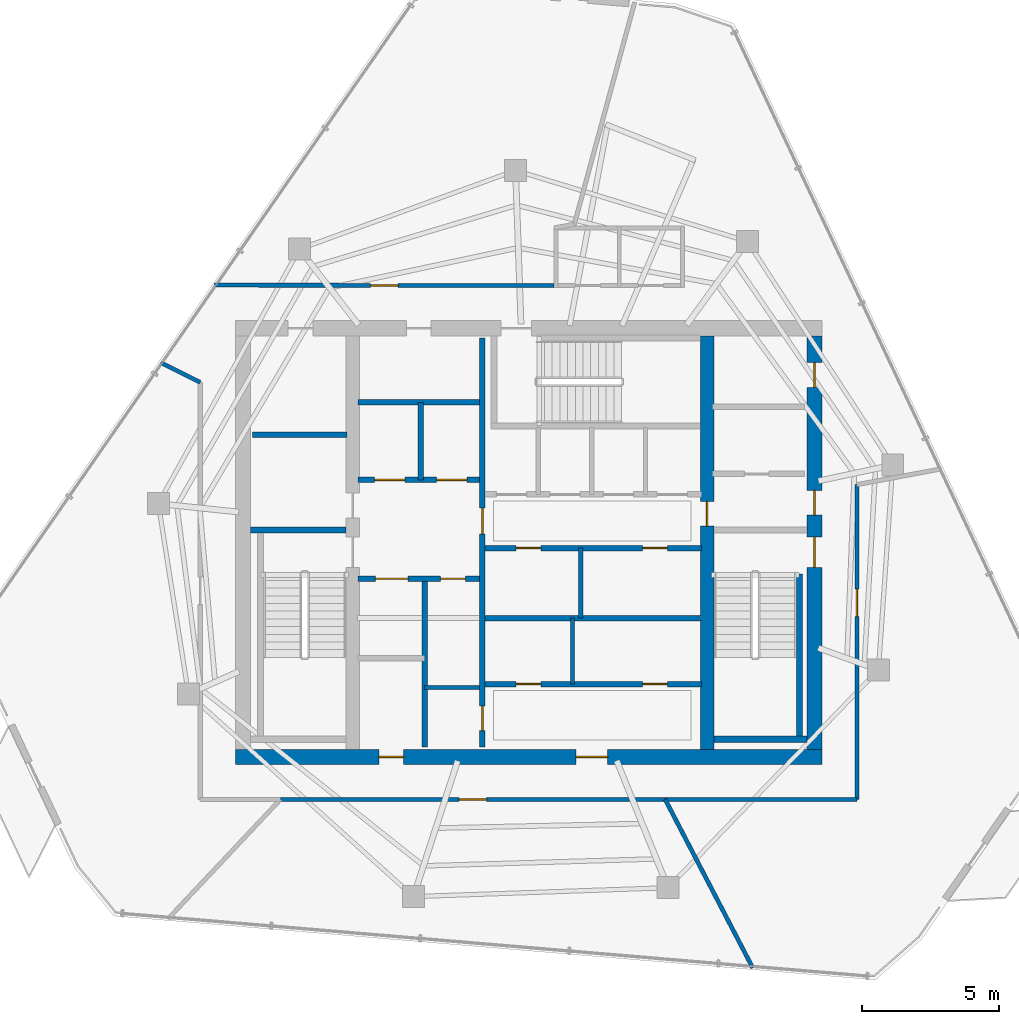
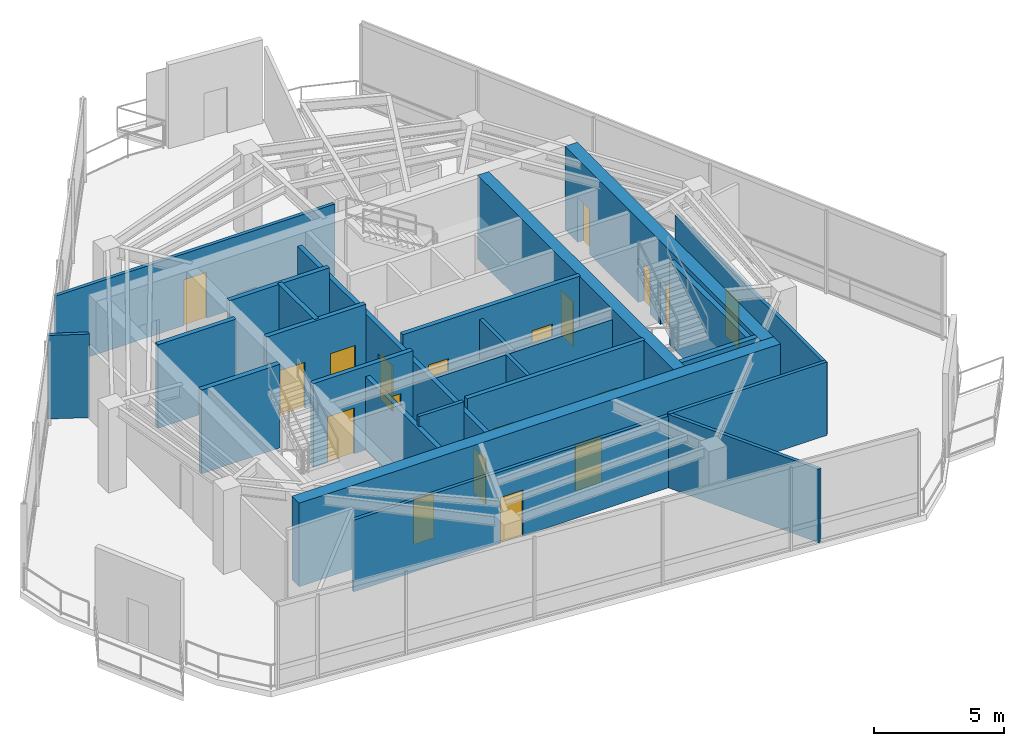
# One storey, part 15 of 19: 25 walls, 19 doors, 19 openings.
"""IFC4 building model written with IfcOpenShell, lengths in metres."""

from ifc_helpers import new_model, si_unit, direction, frame, frame_2d, origin, place, context, subcontext, project, spatial, rectangle, extrude, material, layer, layer_set, type_object, element, fill, save


model = new_model("IFC4")

# Units and contexts
model_context = context("Model", 3, precision=1e-05, world=origin(), true_north=direction((0.0, 1.0)))
body_context = subcontext(model_context, "Body", "Model", "MODEL_VIEW")
ifc_project = project(units=[si_unit("LENGTHUNIT", "METRE"), si_unit("AREAUNIT", "SQUARE_METRE"), si_unit("VOLUMEUNIT", "CUBIC_METRE"), si_unit("PLANEANGLEUNIT", "RADIAN"), si_unit("MASSUNIT", "GRAM", prefix="KILO")], contexts=[model_context])

# Site, building, storey
site_placement = place(None, origin())
site = spatial("IfcSite", under=ifc_project, at=site_placement, CompositionType="ELEMENT")
building_placement = place(site_placement, origin())
building = spatial("IfcBuilding", under=site, at=building_placement, Name="Qarnah Convention Tower", CompositionType="ELEMENT")
storey_placement = place(building_placement, frame((0.0, 0.0, 275.10009765625)))
storey = spatial("IfcBuildingStorey", under=building, at=storey_placement, Name="L74", CompositionType="ELEMENT", Elevation=275.10009765625)

# Wall, openings, doors
ifc_material_1 = material(Name="Concrete C60/75", Category="concrete")
ifc_layer_1 = layer(ifc_material_1, 0.550048828125)
ifc_layer_set_1 = layer_set([ifc_layer_1], Name="Concrete C60/75")
wall_type_1 = type_object("IfcWallType", Name="WL-CORE-550", PredefinedType="SHEAR", material=ifc_layer_set_1)
wall_1_placement = place(storey_placement, frame((26.52490234375, 18.60009765625, 0.0), z_axis=(0.0, 0.0, 1.0), x_axis=(1.0, 0.0, 0.0)))
wall_1 = element("IfcWall", 1, at=wall_1_placement, inside=storey, type_object=wall_type_1, Name="L74 core south shear wall", PredefinedType="SHEAR", context=body_context, shape_type="SweptSolid", body=[
    extrude(rectangle(XDim=21.35009765625, YDim=0.550048828125, at=frame_2d((10.675048828125, 0.0))), origin(), (0.0, 0.0, 1.0), 3.919921875),
])
opening_1_placement = place(wall_1_placement, frame((12.39990234375, 0.0, 0.0)))
opening_1 = element("IfcOpeningElement", 2, at=opening_1_placement, cuts=wall_1, Name="Opening D-7407", PredefinedType="OPENING", context=body_context, shape_type="SweptSolid", body=[
    extrude(rectangle(XDim=1.14990234375, YDim=2.14990234375, at=frame_2d((0.574951171875, 1.074951171875))), frame((0.0, 0.284912109375, 0.0), z_axis=(0.0, -1.0, 0.0), x_axis=(1.0, 0.0, 0.0)), (0.0, 0.0, 1.0), 0.570068359375),
])
opening_2_placement = place(wall_1_placement, frame((5.22509765625, 0.0, 0.0)))
opening_2 = element("IfcOpeningElement", 3, at=opening_2_placement, cuts=wall_1, Name="Opening D-7413", PredefinedType="OPENING", context=body_context, shape_type="SweptSolid", body=[
    extrude(rectangle(XDim=0.89990234375, YDim=2.10009765625, at=frame_2d((0.449951171875, 1.050048828125))), frame((0.0, 0.284912109375, 0.0), z_axis=(0.0, -1.0, 0.0), x_axis=(1.0, 0.0, 0.0)), (0.0, 0.0, 1.0), 0.570068359375),
])
ifc_material_2 = material(Name="Structural steel S355JR", Category="steel")
door_type_1 = type_object("IfcDoorType", Name="DT-LOBBY-1150", OperationType="NOTDEFINED", PredefinedType="DOOR", material=ifc_material_2)
door_1_placement = place(opening_1_placement, origin())
door_1 = element("IfcDoor", 4, at=door_1_placement, inside=storey, type_object=door_type_1, Name="Door D-7407", OperationType="SINGLE_SWING_LEFT", OverallHeight=2.14990234375, OverallWidth=1.14990234375, PredefinedType="DOOR", context=body_context, shape_type="SweptSolid", body=[
    extrude(rectangle(XDim=1.14990234375, YDim=2.14990234375, at=frame_2d((0.574951171875, 1.074951171875))), frame((0.0, 0.02490234375, 0.0), z_axis=(0.0, -1.0, 0.0), x_axis=(1.0, 0.0, 0.0)), (0.0, 0.0, 1.0), 0.050048828125),
])
fill(opening_1, door_1)
door_type_2 = type_object("IfcDoorType", Name="DT-RISER-900", OperationType="NOTDEFINED", PredefinedType="DOOR", material=ifc_material_2)
door_2_placement = place(opening_2_placement, origin())
door_2 = element("IfcDoor", 5, at=door_2_placement, inside=storey, type_object=door_type_2, Name="Door D-7413", OperationType="SINGLE_SWING_LEFT", OverallHeight=2.10009765625, OverallWidth=0.89990234375, PredefinedType="DOOR", context=body_context, shape_type="SweptSolid", body=[
    extrude(rectangle(XDim=0.89990234375, YDim=2.10009765625, at=frame_2d((0.449951171875, 1.050048828125))), frame((0.0, 0.02490234375, 0.0), z_axis=(0.0, -1.0, 0.0), x_axis=(1.0, 0.0, 0.0)), (0.0, 0.0, 1.0), 0.050048828125),
])
fill(opening_2, door_2)

wall_2_placement = place(storey_placement, frame((47.60009765625, 18.875, 0.0), z_axis=(0.0, 0.0, 1.0), x_axis=(0.0, 1.0, 0.0)))
wall_2 = element("IfcWall", 6, at=wall_2_placement, inside=storey, type_object=wall_type_1, Name="L74 core east shear wall", PredefinedType="SHEAR", context=body_context, shape_type="SweptSolid", body=[
    extrude(rectangle(XDim=15.050048828125, YDim=0.550048828125, at=frame_2d((7.52490234375, 0.0))), origin(), (0.0, 0.0, 1.0), 3.919921875),
])
opening_3_placement = place(wall_2_placement, frame((6.625, 0.0, 0.0)))
opening_3 = element("IfcOpeningElement", 7, at=opening_3_placement, cuts=wall_2, Name="Opening D-7402", PredefinedType="OPENING", context=body_context, shape_type="SweptSolid", body=[
    extrude(rectangle(XDim=1.10009765625, YDim=2.14990234375, at=frame_2d((0.550048828125, 1.074951171875))), frame((0.0, 0.284912109375, 0.0), z_axis=(0.0, -1.0, 0.0), x_axis=(1.0, 0.0, 0.0)), (0.0, 0.0, 1.0), 0.570068359375),
])
opening_4_placement = place(wall_2_placement, frame((8.52490234375, 0.0, 0.0)))
opening_4 = element("IfcOpeningElement", 8, at=opening_4_placement, cuts=wall_2, Name="Opening D-7406", PredefinedType="OPENING", context=body_context, shape_type="SweptSolid", body=[
    extrude(rectangle(XDim=0.89990234375, YDim=2.10009765625, at=frame_2d((0.449951171875, 1.050048828125))), frame((0.0, 0.284912109375, 0.0), z_axis=(0.0, -1.0, 0.0), x_axis=(1.0, 0.0, 0.0)), (0.0, 0.0, 1.0), 0.570068359375),
])
opening_5_placement = place(wall_2_placement, frame((13.175048828125, 0.0, 0.0)))
opening_5 = element("IfcOpeningElement", 9, at=opening_5_placement, cuts=wall_2, Name="Opening D-7412", PredefinedType="OPENING", context=body_context, shape_type="SweptSolid", body=[
    extrude(rectangle(XDim=0.89990234375, YDim=2.10009765625, at=frame_2d((0.449951171875, 1.050048828125))), frame((0.0, 0.284912109375, 0.0), z_axis=(0.0, -1.0, 0.0), x_axis=(1.0, 0.0, 0.0)), (0.0, 0.0, 1.0), 0.570068359375),
])
door_3_placement = place(opening_4_placement, origin())
door_3 = element("IfcDoor", 10, at=door_3_placement, inside=storey, type_object=door_type_2, Name="Door D-7406", OperationType="SINGLE_SWING_RIGHT", OverallHeight=2.10009765625, OverallWidth=0.89990234375, PredefinedType="DOOR", context=body_context, shape_type="SweptSolid", body=[
    extrude(rectangle(XDim=0.89990234375, YDim=2.10009765625, at=frame_2d((0.449951171875, 1.050048828125))), frame((0.0, 0.02490234375, 0.0), z_axis=(0.0, -1.0, 0.0), x_axis=(1.0, 0.0, 0.0)), (0.0, 0.0, 1.0), 0.050048828125),
])
fill(opening_4, door_3)
door_4_placement = place(opening_5_placement, origin())
door_4 = element("IfcDoor", 11, at=door_4_placement, inside=storey, type_object=door_type_2, Name="Door D-7412", OperationType="SINGLE_SWING_RIGHT", OverallHeight=2.10009765625, OverallWidth=0.89990234375, PredefinedType="DOOR", context=body_context, shape_type="SweptSolid", body=[
    extrude(rectangle(XDim=0.89990234375, YDim=2.10009765625, at=frame_2d((0.449951171875, 1.050048828125))), frame((0.0, 0.02490234375, 0.0), z_axis=(0.0, -1.0, 0.0), x_axis=(1.0, 0.0, 0.0)), (0.0, 0.0, 1.0), 0.050048828125),
])
fill(opening_5, door_4)
door_type_3 = type_object("IfcDoorType", Name="DT-STAIR-1100", OperationType="NOTDEFINED", PredefinedType="DOOR", material=ifc_material_2)
door_5_placement = place(opening_3_placement, origin())
door_5 = element("IfcDoor", 12, at=door_5_placement, inside=storey, type_object=door_type_3, Name="Door D-7402", OperationType="SINGLE_SWING_RIGHT", OverallHeight=2.14990234375, OverallWidth=1.10009765625, PredefinedType="DOOR", context=body_context, shape_type="SweptSolid", body=[
    extrude(rectangle(XDim=1.10009765625, YDim=2.14990234375, at=frame_2d((0.550048828125, 1.074951171875))), frame((0.0, 0.02490234375, 0.0), z_axis=(0.0, -1.0, 0.0), x_axis=(1.0, 0.0, 0.0)), (0.0, 0.0, 1.0), 0.050048828125),
])
fill(opening_3, door_5)

# Wall, opening, door
ifc_layer_2 = layer(ifc_material_1, 0.5)
ifc_layer_set_2 = layer_set([ifc_layer_2], Name="Concrete C60/75")
wall_type_2 = type_object("IfcWallType", Name="WL-CORE-INT-400", PredefinedType="SHEAR", material=ifc_layer_set_2)
wall_3_placement = place(storey_placement, frame((43.699951171875, 18.875, 0.0), z_axis=(0.0, 0.0, 1.0), x_axis=(0.0, 1.0, 0.0)))
wall_3 = element("IfcWall", 13, at=wall_3_placement, inside=storey, type_object=wall_type_2, Name="L74 core east spine shear wall", PredefinedType="SHEAR", context=body_context, shape_type="SweptSolid", body=[
    extrude(rectangle(XDim=15.050048828125, YDim=0.5, at=frame_2d((7.52490234375, 0.0))), origin(), (0.0, 0.0, 1.0), 3.919921875),
])
opening_6_placement = place(wall_3_placement, frame((8.125, 0.0, 0.0)))
opening_6 = element("IfcOpeningElement", 14, at=opening_6_placement, cuts=wall_3, Name="Opening D-7405", PredefinedType="OPENING", context=body_context, shape_type="SweptSolid", body=[
    extrude(rectangle(XDim=0.89990234375, YDim=2.10009765625, at=frame_2d((0.449951171875, 1.050048828125))), frame((0.0, 0.260009765625, 0.0), z_axis=(0.0, -1.0, 0.0), x_axis=(1.0, 0.0, 0.0)), (0.0, 0.0, 1.0), 0.52001953125),
])
door_6_placement = place(opening_6_placement, origin())
door_6 = element("IfcDoor", 15, at=door_6_placement, inside=storey, type_object=door_type_2, Name="Door D-7405", OperationType="SINGLE_SWING_LEFT", OverallHeight=2.10009765625, OverallWidth=0.89990234375, PredefinedType="DOOR", context=body_context, shape_type="SweptSolid", body=[
    extrude(rectangle(XDim=0.89990234375, YDim=2.10009765625, at=frame_2d((0.449951171875, 1.050048828125))), frame((0.0, 0.02490234375, 0.0), z_axis=(0.0, -1.0, 0.0), x_axis=(1.0, 0.0, 0.0)), (0.0, 0.0, 1.0), 0.050048828125),
])
fill(opening_6, door_6)

# Wall
ifc_material_3 = material(Name="Concrete C45/55", Category="concrete")
ifc_layer_3 = layer(ifc_material_3, 0.199951171875)
ifc_layer_set_3 = layer_set([ifc_layer_3], Name="Concrete C45/55")
wall_type_3 = type_object("IfcWallType", Name="WL-CORE-PART-200", PredefinedType="SOLIDWALL", material=ifc_layer_set_3)
wall_4_placement = place(storey_placement, frame((27.14990234375, 30.320068359375, 0.0), z_axis=(0.0, 0.0, 1.0), x_axis=(1.0, 0.0, 0.0)))
element("IfcWall", 16, at=wall_4_placement, inside=storey, type_object=wall_type_3, Name="L74 interior wall IW-L74-ELRN", PredefinedType="SOLIDWALL", context=body_context, shape_type="SweptSolid", body=[
    extrude(rectangle(XDim=3.4501953125, YDim=0.199951171875, at=frame_2d((1.72509765625, 0.0))), origin(), (0.0, 0.0, 1.0), 3.919921875),
])

# Wall, openings, doors
wall_5_placement = place(storey_placement, frame((35.52001953125, 18.949951171875, 0.0), z_axis=(0.0, 0.0, 1.0), x_axis=(0.0, 1.0, 0.0)))
wall_5 = element("IfcWall", 17, at=wall_5_placement, inside=storey, type_object=wall_type_3, Name="L74 interior wall IW-L74-CSP", PredefinedType="SOLIDWALL", context=body_context, shape_type="SweptSolid", body=[
    extrude(rectangle(XDim=14.900146484375, YDim=0.199951171875, at=frame_2d((7.4501953125, 0.0))), origin(), (0.0, 0.0, 1.0), 3.44091796875),
])
opening_7_placement = place(wall_5_placement, frame((7.7548828125, 0.0, 0.0)))
opening_7 = element("IfcOpeningElement", 18, at=opening_7_placement, cuts=wall_5, Name="Opening D-7404", PredefinedType="OPENING", context=body_context, shape_type="SweptSolid", body=[
    extrude(rectangle(XDim=0.949951171875, YDim=2.14990234375, at=frame_2d((0.47509765625, 1.074951171875))), frame((0.0, 0.10986328125, 0.0), z_axis=(0.0, -1.0, 0.0), x_axis=(1.0, 0.0, 0.0)), (0.0, 0.0, 1.0), 0.219970703125),
])
opening_8_placement = place(wall_5_placement, frame((0.60009765625, 0.0, 0.0)))
opening_8 = element("IfcOpeningElement", 19, at=opening_8_placement, cuts=wall_5, Name="Opening D-7414", PredefinedType="OPENING", context=body_context, shape_type="SweptSolid", body=[
    extrude(rectangle(XDim=0.89990234375, YDim=2.10009765625, at=frame_2d((0.449951171875, 1.050048828125))), frame((0.0, 0.10986328125, 0.0), z_axis=(0.0, -1.0, 0.0), x_axis=(1.0, 0.0, 0.0)), (0.0, 0.0, 1.0), 0.219970703125),
])
ifc_material_4 = material(Name="Oak timber veneer", Category="wood")
door_type_4 = type_object("IfcDoorType", Name="DT-HOTEL-950", OperationType="NOTDEFINED", PredefinedType="DOOR", material=ifc_material_4)
door_7_placement = place(opening_7_placement, origin())
door_7 = element("IfcDoor", 20, at=door_7_placement, inside=storey, type_object=door_type_4, Name="Door D-7404", OperationType="SINGLE_SWING_RIGHT", OverallHeight=2.14990234375, OverallWidth=0.949951171875, PredefinedType="DOOR", context=body_context, shape_type="SweptSolid", body=[
    extrude(rectangle(XDim=0.949951171875, YDim=2.14990234375, at=frame_2d((0.47509765625, 1.074951171875))), frame((0.0, 0.02490234375, 0.0), z_axis=(0.0, -1.0, 0.0), x_axis=(1.0, 0.0, 0.0)), (0.0, 0.0, 1.0), 0.050048828125),
])
fill(opening_7, door_7)
door_8_placement = place(opening_8_placement, origin())
door_8 = element("IfcDoor", 21, at=door_8_placement, inside=storey, type_object=door_type_2, Name="Door D-7414", OperationType="SINGLE_SWING_RIGHT", OverallHeight=2.10009765625, OverallWidth=0.89990234375, PredefinedType="DOOR", context=body_context, shape_type="SweptSolid", body=[
    extrude(rectangle(XDim=0.89990234375, YDim=2.10009765625, at=frame_2d((0.449951171875, 1.050048828125))), frame((0.0, 0.02490234375, 0.0), z_axis=(0.0, -1.0, 0.0), x_axis=(1.0, 0.0, 0.0)), (0.0, 0.0, 1.0), 0.050048828125),
])
fill(opening_8, door_8)

wall_6_placement = place(storey_placement, frame((31.0, 28.679931640625, 0.0), z_axis=(0.0, 0.0, 1.0), x_axis=(1.0, 0.0, 0.0)))
wall_6 = element("IfcWall", 22, at=wall_6_placement, inside=storey, type_object=wall_type_3, Name="L74 interior wall IW-L74-FFLS", PredefinedType="SOLIDWALL", context=body_context, shape_type="SweptSolid", body=[
    extrude(rectangle(XDim=4.419921875, YDim=0.199951171875, at=frame_2d((2.2099609375, 0.0))), origin(), (0.0, 0.0, 1.0), 3.919921875),
])
opening_9_placement = place(wall_6_placement, frame((0.60009765625, 0.0, 0.0)))
opening_9 = element("IfcOpeningElement", 23, at=opening_9_placement, cuts=wall_6, Name="Opening LD-7401", PredefinedType="OPENING", context=body_context, shape_type="SweptSolid", body=[
    extrude(rectangle(XDim=1.10009765625, YDim=2.14990234375, at=frame_2d((0.550048828125, 1.074951171875))), frame((0.0, 0.10986328125, 0.0), z_axis=(0.0, -1.0, 0.0), x_axis=(1.0, 0.0, 0.0)), (0.0, 0.0, 1.0), 0.219970703125),
])
opening_10_placement = place(wall_6_placement, frame((2.85009765625, 0.0, 0.0)))
opening_10 = element("IfcOpeningElement", 24, at=opening_10_placement, cuts=wall_6, Name="Opening LD-7402", PredefinedType="OPENING", context=body_context, shape_type="SweptSolid", body=[
    extrude(rectangle(XDim=1.10009765625, YDim=2.14990234375, at=frame_2d((0.550048828125, 1.074951171875))), frame((0.0, 0.10986328125, 0.0), z_axis=(0.0, -1.0, 0.0), x_axis=(1.0, 0.0, 0.0)), (0.0, 0.0, 1.0), 0.219970703125),
])
door_type_5 = type_object("IfcDoorType", Name="DT-LIFT-1100", OperationType="SLIDING_TO_LEFT", PredefinedType="DOOR", material=ifc_material_2)
door_9_placement = place(opening_9_placement, origin())
door_9 = element("IfcDoor", 25, at=door_9_placement, inside=storey, type_object=door_type_5, Name="Door LD-7401", OperationType="SLIDING_TO_LEFT", OverallHeight=2.14990234375, OverallWidth=1.10009765625, PredefinedType="DOOR", context=body_context, shape_type="SweptSolid", body=[
    extrude(rectangle(XDim=1.10009765625, YDim=2.14990234375, at=frame_2d((0.550048828125, 1.074951171875))), frame((0.0, 0.02490234375, 0.0), z_axis=(0.0, -1.0, 0.0), x_axis=(1.0, 0.0, 0.0)), (0.0, 0.0, 1.0), 0.050048828125),
])
fill(opening_9, door_9)
door_10_placement = place(opening_10_placement, origin())
door_10 = element("IfcDoor", 26, at=door_10_placement, inside=storey, type_object=door_type_5, Name="Door LD-7402", OperationType="SLIDING_TO_LEFT", OverallHeight=2.14990234375, OverallWidth=1.10009765625, PredefinedType="DOOR", context=body_context, shape_type="SweptSolid", body=[
    extrude(rectangle(XDim=1.10009765625, YDim=2.14990234375, at=frame_2d((0.550048828125, 1.074951171875))), frame((0.0, 0.02490234375, 0.0), z_axis=(0.0, -1.0, 0.0), x_axis=(1.0, 0.0, 0.0)), (0.0, 0.0, 1.0), 0.050048828125),
])
fill(opening_10, door_10)

# Walls
wall_7_placement = place(storey_placement, frame((31.0, 31.5, 0.0), z_axis=(0.0, 0.0, 1.0), x_axis=(1.0, 0.0, 0.0)))
element("IfcWall", 27, at=wall_7_placement, inside=storey, type_object=wall_type_3, Name="L74 interior wall IW-L74-FFLN", PredefinedType="SOLIDWALL", context=body_context, shape_type="SweptSolid", body=[
    extrude(rectangle(XDim=4.419921875, YDim=0.199951171875, at=frame_2d((2.2099609375, 0.0))), origin(), (0.0, 0.0, 1.0), 3.919921875),
])
wall_8_placement = place(storey_placement, frame((33.280029296875, 28.679931640625, 0.0), z_axis=(0.0, 0.0, 1.0), x_axis=(0.0, 1.0, 0.0)))
element("IfcWall", 28, at=wall_8_placement, inside=storey, type_object=wall_type_3, Name="L74 interior wall IW-L74-FFLM", PredefinedType="SOLIDWALL", context=body_context, shape_type="SweptSolid", body=[
    extrude(rectangle(XDim=2.820068359375, YDim=0.199951171875, at=frame_2d((1.41015625, 0.0))), origin(), (0.0, 0.0, 1.0), 3.919921875),
])

# Wall, openings, doors
wall_9_placement = place(storey_placement, frame((31.0, 25.080078125, 0.0), z_axis=(0.0, 0.0, 1.0), x_axis=(1.0, 0.0, 0.0)))
wall_9 = element("IfcWall", 29, at=wall_9_placement, inside=storey, type_object=wall_type_3, Name="L74 interior wall IW-L74-FFLBS", PredefinedType="SOLIDWALL", context=body_context, shape_type="SweptSolid", body=[
    extrude(rectangle(XDim=4.419921875, YDim=0.199951171875, at=frame_2d((2.2099609375, 0.0))), origin(), (0.0, 0.0, 1.0), 3.919921875),
])
opening_11_placement = place(wall_9_placement, frame((3.0, 0.0, 0.0)))
opening_11 = element("IfcOpeningElement", 30, at=opening_11_placement, cuts=wall_9, Name="Opening D-7415", PredefinedType="OPENING", context=body_context, shape_type="SweptSolid", body=[
    extrude(rectangle(XDim=0.89990234375, YDim=2.10009765625, at=frame_2d((0.449951171875, 1.050048828125))), frame((0.0, 0.10986328125, 0.0), z_axis=(0.0, -1.0, 0.0), x_axis=(1.0, 0.0, 0.0)), (0.0, 0.0, 1.0), 0.219970703125),
])
opening_12_placement = place(wall_9_placement, frame((0.6201171875, 0.0, 0.0)))
opening_12 = element("IfcOpeningElement", 31, at=opening_12_placement, cuts=wall_9, Name="Opening LD-7403", PredefinedType="OPENING", context=body_context, shape_type="SweptSolid", body=[
    extrude(rectangle(XDim=1.199951171875, YDim=2.14990234375, at=frame_2d((0.60009765625, 1.074951171875))), frame((0.0, 0.10986328125, 0.0), z_axis=(0.0, -1.0, 0.0), x_axis=(1.0, 0.0, 0.0)), (0.0, 0.0, 1.0), 0.219970703125),
])
door_type_6 = type_object("IfcDoorType", Name="DT-LIFT-1200", OperationType="SLIDING_TO_LEFT", PredefinedType="DOOR", material=ifc_material_2)
door_11_placement = place(opening_12_placement, origin())
door_11 = element("IfcDoor", 32, at=door_11_placement, inside=storey, type_object=door_type_6, Name="Door LD-7403", OperationType="SLIDING_TO_LEFT", OverallHeight=2.14990234375, OverallWidth=1.199951171875, PredefinedType="DOOR", context=body_context, shape_type="SweptSolid", body=[
    extrude(rectangle(XDim=1.199951171875, YDim=2.14990234375, at=frame_2d((0.60009765625, 1.074951171875))), frame((0.0, 0.02490234375, 0.0), z_axis=(0.0, -1.0, 0.0), x_axis=(1.0, 0.0, 0.0)), (0.0, 0.0, 1.0), 0.050048828125),
])
fill(opening_12, door_11)
door_12_placement = place(opening_11_placement, origin())
door_12 = element("IfcDoor", 33, at=door_12_placement, inside=storey, type_object=door_type_2, Name="Door D-7415", OperationType="SINGLE_SWING_LEFT", OverallHeight=2.10009765625, OverallWidth=0.89990234375, PredefinedType="DOOR", context=body_context, shape_type="SweptSolid", body=[
    extrude(rectangle(XDim=0.89990234375, YDim=2.10009765625, at=frame_2d((0.449951171875, 1.050048828125))), frame((0.0, 0.02490234375, 0.0), z_axis=(0.0, -1.0, 0.0), x_axis=(1.0, 0.0, 0.0)), (0.0, 0.0, 1.0), 0.050048828125),
])
fill(opening_11, door_12)

# Wall
wall_10_placement = place(storey_placement, frame((33.419921875, 18.949951171875, 0.0), z_axis=(0.0, 0.0, 1.0), x_axis=(0.0, 1.0, 0.0)))
element("IfcWall", 34, at=wall_10_placement, inside=storey, type_object=wall_type_3, Name="L74 interior wall IW-L74-SVLE", PredefinedType="SOLIDWALL", context=body_context, shape_type="SweptSolid", body=[
    extrude(rectangle(XDim=6.130126953125, YDim=0.199951171875, at=frame_2d((3.06494140625, 0.0))), origin(), (0.0, 0.0, 1.0), 3.44091796875),
])

# Wall, openings, doors
wall_11_placement = place(storey_placement, frame((35.6201171875, 26.199951171875, 0.0), z_axis=(0.0, 0.0, 1.0), x_axis=(1.0, 0.0, 0.0)))
wall_11 = element("IfcWall", 35, at=wall_11_placement, inside=storey, type_object=wall_type_3, Name="L74 interior wall IW-L74-PMN", PredefinedType="SOLIDWALL", context=body_context, shape_type="SweptSolid", body=[
    extrude(rectangle(XDim=7.8798828125, YDim=0.199951171875, at=frame_2d((3.93994140625, 0.0))), origin(), (0.0, 0.0, 1.0), 3.919921875),
])
opening_13_placement = place(wall_11_placement, frame((1.1298828125, 0.0, 0.0)))
opening_13 = element("IfcOpeningElement", 36, at=opening_13_placement, cuts=wall_11, Name="Opening D-7418", PredefinedType="OPENING", context=body_context, shape_type="SweptSolid", body=[
    extrude(rectangle(XDim=0.89990234375, YDim=2.10009765625, at=frame_2d((0.449951171875, 1.050048828125))), frame((0.0, 0.10986328125, 0.0), z_axis=(0.0, -1.0, 0.0), x_axis=(1.0, 0.0, 0.0)), (0.0, 0.0, 1.0), 0.219970703125),
])
opening_14_placement = place(wall_11_placement, frame((5.72998046875, 0.0, 0.0)))
opening_14 = element("IfcOpeningElement", 37, at=opening_14_placement, cuts=wall_11, Name="Opening D-7419", PredefinedType="OPENING", context=body_context, shape_type="SweptSolid", body=[
    extrude(rectangle(XDim=0.89990234375, YDim=2.10009765625, at=frame_2d((0.449951171875, 1.050048828125))), frame((0.0, 0.10986328125, 0.0), z_axis=(0.0, -1.0, 0.0), x_axis=(1.0, 0.0, 0.0)), (0.0, 0.0, 1.0), 0.219970703125),
])
door_13_placement = place(opening_13_placement, origin())
door_13 = element("IfcDoor", 38, at=door_13_placement, inside=storey, type_object=door_type_2, Name="Door D-7418", OperationType="SINGLE_SWING_RIGHT", OverallHeight=2.10009765625, OverallWidth=0.89990234375, PredefinedType="DOOR", context=body_context, shape_type="SweptSolid", body=[
    extrude(rectangle(XDim=0.89990234375, YDim=2.10009765625, at=frame_2d((0.449951171875, 1.050048828125))), frame((0.0, 0.02490234375, 0.0), z_axis=(0.0, -1.0, 0.0), x_axis=(1.0, 0.0, 0.0)), (0.0, 0.0, 1.0), 0.050048828125),
])
fill(opening_13, door_13)
door_14_placement = place(opening_14_placement, origin())
door_14 = element("IfcDoor", 39, at=door_14_placement, inside=storey, type_object=door_type_2, Name="Door D-7419", OperationType="SINGLE_SWING_LEFT", OverallHeight=2.10009765625, OverallWidth=0.89990234375, PredefinedType="DOOR", context=body_context, shape_type="SweptSolid", body=[
    extrude(rectangle(XDim=0.89990234375, YDim=2.10009765625, at=frame_2d((0.449951171875, 1.050048828125))), frame((0.0, 0.02490234375, 0.0), z_axis=(0.0, -1.0, 0.0), x_axis=(1.0, 0.0, 0.0)), (0.0, 0.0, 1.0), 0.050048828125),
])
fill(opening_14, door_14)

# Wall
wall_12_placement = place(storey_placement, frame((35.6201171875, 23.64990234375, 0.0), z_axis=(0.0, 0.0, 1.0), x_axis=(1.0, 0.0, 0.0)))
element("IfcWall", 40, at=wall_12_placement, inside=storey, type_object=wall_type_3, Name="L74 interior wall IW-L74-PMPL", PredefinedType="SOLIDWALL", context=body_context, shape_type="SweptSolid", body=[
    extrude(rectangle(XDim=7.8798828125, YDim=0.199951171875, at=frame_2d((3.93994140625, 0.0))), origin(), (0.0, 0.0, 1.0), 3.44091796875),
])

# Wall, openings, doors
wall_13_placement = place(storey_placement, frame((35.6201171875, 21.25, 0.0), z_axis=(0.0, 0.0, 1.0), x_axis=(1.0, 0.0, 0.0)))
wall_13 = element("IfcWall", 41, at=wall_13_placement, inside=storey, type_object=wall_type_3, Name="L74 interior wall IW-L74-PLS", PredefinedType="SOLIDWALL", context=body_context, shape_type="SweptSolid", body=[
    extrude(rectangle(XDim=7.8798828125, YDim=0.199951171875, at=frame_2d((3.93994140625, 0.0))), origin(), (0.0, 0.0, 1.0), 3.919921875),
])
opening_15_placement = place(wall_13_placement, frame((1.1298828125, 0.0, 0.0)))
opening_15 = element("IfcOpeningElement", 42, at=opening_15_placement, cuts=wall_13, Name="Opening D-7416", PredefinedType="OPENING", context=body_context, shape_type="SweptSolid", body=[
    extrude(rectangle(XDim=0.89990234375, YDim=2.10009765625, at=frame_2d((0.449951171875, 1.050048828125))), frame((0.0, 0.10986328125, 0.0), z_axis=(0.0, -1.0, 0.0), x_axis=(1.0, 0.0, 0.0)), (0.0, 0.0, 1.0), 0.219970703125),
])
opening_16_placement = place(wall_13_placement, frame((5.72998046875, 0.0, 0.0)))
opening_16 = element("IfcOpeningElement", 43, at=opening_16_placement, cuts=wall_13, Name="Opening D-7417", PredefinedType="OPENING", context=body_context, shape_type="SweptSolid", body=[
    extrude(rectangle(XDim=0.89990234375, YDim=2.10009765625, at=frame_2d((0.449951171875, 1.050048828125))), frame((0.0, 0.10986328125, 0.0), z_axis=(0.0, -1.0, 0.0), x_axis=(1.0, 0.0, 0.0)), (0.0, 0.0, 1.0), 0.219970703125),
])
door_15_placement = place(opening_15_placement, origin())
door_15 = element("IfcDoor", 44, at=door_15_placement, inside=storey, type_object=door_type_2, Name="Door D-7416", OperationType="SINGLE_SWING_RIGHT", OverallHeight=2.10009765625, OverallWidth=0.89990234375, PredefinedType="DOOR", context=body_context, shape_type="SweptSolid", body=[
    extrude(rectangle(XDim=0.89990234375, YDim=2.10009765625, at=frame_2d((0.449951171875, 1.050048828125))), frame((0.0, 0.02490234375, 0.0), z_axis=(0.0, -1.0, 0.0), x_axis=(1.0, 0.0, 0.0)), (0.0, 0.0, 1.0), 0.050048828125),
])
fill(opening_15, door_15)
door_16_placement = place(opening_16_placement, origin())
door_16 = element("IfcDoor", 45, at=door_16_placement, inside=storey, type_object=door_type_2, Name="Door D-7417", OperationType="SINGLE_SWING_LEFT", OverallHeight=2.10009765625, OverallWidth=0.89990234375, PredefinedType="DOOR", context=body_context, shape_type="SweptSolid", body=[
    extrude(rectangle(XDim=0.89990234375, YDim=2.10009765625, at=frame_2d((0.449951171875, 1.050048828125))), frame((0.0, 0.02490234375, 0.0), z_axis=(0.0, -1.0, 0.0), x_axis=(1.0, 0.0, 0.0)), (0.0, 0.0, 1.0), 0.050048828125),
])
fill(opening_16, door_16)

# Walls
ifc_layer_4 = layer(ifc_material_1, 0.219970703125)
ifc_layer_set_4 = layer_set([ifc_layer_4], Name="Concrete C60/75")
wall_type_4 = type_object("IfcWallType", Name="WL-CORE-STAIR-220", PredefinedType="SHEAR", material=ifc_layer_set_4)
wall_14_placement = place(storey_placement, frame((27.074951171875, 26.860107421875, 0.0), z_axis=(0.0, 0.0, 1.0), x_axis=(1.0, 0.0, 0.0)))
element("IfcWall", 46, at=wall_14_placement, inside=storey, type_object=wall_type_4, Name="L74 stair shaft shear wall SW-L74-ST1N", PredefinedType="SHEAR", context=body_context, shape_type="SweptSolid", body=[
    extrude(rectangle(XDim=3.47509765625, YDim=0.219970703125, at=frame_2d((1.737548828125, 0.0))), origin(), (0.0, 0.0, 1.0), 3.919921875),
])
wall_15_placement = place(storey_placement, frame((47.06005859375, 19.35009765625, 0.0), z_axis=(0.0, 0.0, 1.0), x_axis=(0.0, 1.0, 0.0)))
element("IfcWall", 47, at=wall_15_placement, inside=storey, type_object=wall_type_4, Name="L74 stair shaft shear wall SW-L74-ST2E", PredefinedType="SHEAR", context=body_context, shape_type="SweptSolid", body=[
    extrude(rectangle(XDim=5.89990234375, YDim=0.219970703125, at=frame_2d((2.949951171875, 0.0))), origin(), (0.0, 0.0, 1.0), 3.919921875),
])
wall_16_placement = place(storey_placement, frame((43.949951171875, 19.239990234375, 0.0), z_axis=(0.0, 0.0, 1.0), x_axis=(1.0, 0.0, 0.0)))
element("IfcWall", 48, at=wall_16_placement, inside=storey, type_object=wall_type_4, Name="L74 stair shaft shear wall SW-L74-ST2S", PredefinedType="SHEAR", context=body_context, shape_type="SweptSolid", body=[
    extrude(rectangle(XDim=3.375, YDim=0.219970703125, at=frame_2d((1.6875, 0.0))), origin(), (0.0, 0.0, 1.0), 3.919921875),
])
ifc_material_5 = material(Name="Gypsum partition board")
ifc_layer_5 = layer(ifc_material_5, 0.14990234375)
ifc_layer_set_5 = layer_set([ifc_layer_5], Name="Gypsum partition board")
wall_type_5 = type_object("IfcWallType", Name="WL-SUITE-150", PredefinedType="PARTITIONING", material=ifc_layer_set_5)
wall_17_placement = place(storey_placement, frame((33.419921875, 21.1201171875, 0.0), z_axis=(0.0, 0.0, 1.0), x_axis=(1.0, 0.0, 0.0)))
element("IfcWall", 49, at=wall_17_placement, inside=storey, type_object=wall_type_5, Name="L74 interior wall IW-L74-CSV1", PredefinedType="PARTITIONING", context=body_context, shape_type="SweptSolid", body=[
    extrude(rectangle(XDim=2.0, YDim=0.14990234375, at=frame_2d((1.0, 0.0))), origin(), (0.0, 0.0, 1.0), 3.919921875),
])
wall_18_placement = place(storey_placement, frame((39.10009765625, 23.64990234375, 0.0), z_axis=(0.0, 0.0, 1.0), x_axis=(0.0, 1.0, 0.0)))
element("IfcWall", 50, at=wall_18_placement, inside=storey, type_object=wall_type_5, Name="L74 interior wall IW-L74-PMFD", PredefinedType="PARTITIONING", context=body_context, shape_type="SweptSolid", body=[
    extrude(rectangle(XDim=2.550048828125, YDim=0.14990234375, at=frame_2d((1.27490234375, 0.0))), origin(), (0.0, 0.0, 1.0), 3.44091796875),
])
wall_19_placement = place(storey_placement, frame((38.800048828125, 21.25, 0.0), z_axis=(0.0, 0.0, 1.0), x_axis=(0.0, 1.0, 0.0)))
element("IfcWall", 51, at=wall_19_placement, inside=storey, type_object=wall_type_5, Name="L74 interior wall IW-L74-PLFD", PredefinedType="PARTITIONING", context=body_context, shape_type="SweptSolid", body=[
    extrude(rectangle(XDim=2.39990234375, YDim=0.14990234375, at=frame_2d((1.199951171875, 0.0))), origin(), (0.0, 0.0, 1.0), 3.44091796875),
])

# Wall, opening, door
wall_20_placement = place(storey_placement, frame((25.77197265625, 35.76806640625, 0.0), z_axis=(0.0, 0.0, 1.0), x_axis=(0.999998931381, -0.001461928976, 0.0)))
wall_20 = element("IfcWall", 52, at=wall_20_placement, inside=storey, type_object=wall_type_5, Name="L74 interior wall IW-L74-R-09", PredefinedType="PARTITIONING", context=body_context, shape_type="SweptSolid", body=[
    extrude(rectangle(XDim=12.35791015625, YDim=0.14990234375, at=frame_2d((6.178955078125, 0.0))), origin(), (0.0, 0.0, 1.0), 3.364990234375),
])
opening_17_placement = place(wall_20_placement, frame((5.678955078125, 0.0, 0.0)))
opening_17 = element("IfcOpeningElement", 53, at=opening_17_placement, cuts=wall_20, Name="Opening D-7422", PredefinedType="OPENING", context=body_context, shape_type="SweptSolid", body=[
    extrude(rectangle(XDim=1.0, YDim=2.14990234375, at=frame_2d((0.5, 1.074951171875))), frame((0.0, 0.0849609375, 0.0), z_axis=(0.0, -1.0, 0.0), x_axis=(1.0, 0.0, 0.0)), (0.0, 0.0, 1.0), 0.169921875),
])
door_type_7 = type_object("IfcDoorType", Name="DT-OFFICE-1000", OperationType="NOTDEFINED", PredefinedType="DOOR", material=ifc_material_4)
door_17_placement = place(opening_17_placement, origin())
door_17 = element("IfcDoor", 54, at=door_17_placement, inside=storey, type_object=door_type_7, Name="Door D-7422", OperationType="SINGLE_SWING_RIGHT", OverallHeight=2.14990234375, OverallWidth=1.0, PredefinedType="DOOR", context=body_context, shape_type="SweptSolid", body=[
    extrude(rectangle(XDim=1.0, YDim=2.14990234375, at=frame_2d((0.5, 1.074951171875))), frame((0.0, 0.02490234375, 0.0), z_axis=(0.0, -1.0, 0.0), x_axis=(1.0, 0.0, 0.0)), (0.0, 0.0, 1.0), 0.050048828125),
])
fill(opening_17, door_17)

# Walls
wall_21_placement = place(storey_placement, frame((25.25, 32.22802734375, 0.0), z_axis=(0.0, 0.0, 1.0), x_axis=(-0.893575418143, 0.448913100824, 0.0)))
element("IfcWall", 55, at=wall_21_placement, inside=storey, type_object=wall_type_5, Name="L74 interior wall IW-L74-R-14", PredefinedType="PARTITIONING", context=body_context, shape_type="SweptSolid", body=[
    extrude(rectangle(XDim=1.608154296875, YDim=0.14990234375, at=frame_2d((0.80419921875, 0.0))), origin(), (0.0, 0.0, 1.0), 3.919921875),
])
wall_22_placement = place(storey_placement, frame((45.35791015625, 10.9208984375, 0.0), z_axis=(0.0, 0.0, 1.0), x_axis=(-0.461336045476, 0.887225480441, 0.0)))
element("IfcWall", 56, at=wall_22_placement, inside=storey, type_object=wall_type_5, Name="L74 interior wall IW-L74-R-15", PredefinedType="PARTITIONING", context=body_context, shape_type="SweptSolid", body=[
    extrude(rectangle(XDim=6.908203125, YDim=0.14990234375, at=frame_2d((3.4541015625, 0.0))), origin(), (0.0, 0.0, 1.0), 3.44482421875),
])

# Wall, opening, door
wall_23_placement = place(storey_placement, frame((42.1708984375, 17.050048828125, 0.0), z_axis=(0.0, 0.0, 1.0), x_axis=(-1.0, 0.0, 0.0)))
wall_23 = element("IfcWall", 57, at=wall_23_placement, inside=storey, type_object=wall_type_5, Name="L74 interior wall IW-L74-R-16", PredefinedType="PARTITIONING", context=body_context, shape_type="SweptSolid", body=[
    extrude(rectangle(XDim=14.0, YDim=0.14990234375, at=frame_2d((7.0, 0.0))), origin(), (0.0, 0.0, 1.0), 3.364990234375),
])
opening_18_placement = place(wall_23_placement, frame((6.5, 0.0, 0.0)))
opening_18 = element("IfcOpeningElement", 58, at=opening_18_placement, cuts=wall_23, Name="Opening D-7424", PredefinedType="OPENING", context=body_context, shape_type="SweptSolid", body=[
    extrude(rectangle(XDim=1.0, YDim=2.14990234375, at=frame_2d((0.5, 1.074951171875))), frame((0.0, 0.0849609375, 0.0), z_axis=(0.0, -1.0, 0.0), x_axis=(1.0, 0.0, 0.0)), (0.0, 0.0, 1.0), 0.169921875),
])
door_18_placement = place(opening_18_placement, origin())
door_18 = element("IfcDoor", 59, at=door_18_placement, inside=storey, type_object=door_type_7, Name="Door D-7424", OperationType="SINGLE_SWING_RIGHT", OverallHeight=2.14990234375, OverallWidth=1.0, PredefinedType="DOOR", context=body_context, shape_type="SweptSolid", body=[
    extrude(rectangle(XDim=1.0, YDim=2.14990234375, at=frame_2d((0.5, 1.074951171875))), frame((0.0, 0.02490234375, 0.0), z_axis=(0.0, -1.0, 0.0), x_axis=(1.0, 0.0, 0.0)), (0.0, 0.0, 1.0), 0.050048828125),
])
fill(opening_18, door_18)

wall_24_placement = place(storey_placement, frame((49.14990234375, 28.507080078125, 0.0), z_axis=(0.0, 0.0, 1.0), x_axis=(0.0, -1.0, 0.0)))
wall_24 = element("IfcWall", 60, at=wall_24_placement, inside=storey, type_object=wall_type_5, Name="L74 interior wall IW-L74-R-18", PredefinedType="PARTITIONING", context=body_context, shape_type="SweptSolid", body=[
    extrude(rectangle(XDim=11.45703125, YDim=0.14990234375, at=frame_2d((5.728515625, 0.0))), origin(), (0.0, 0.0, 1.0), 3.364990234375),
])
opening_19_placement = place(wall_24_placement, frame((3.802978515625, 0.0, 0.0)))
opening_19 = element("IfcOpeningElement", 61, at=opening_19_placement, cuts=wall_24, Name="Opening D-7425", PredefinedType="OPENING", context=body_context, shape_type="SweptSolid", body=[
    extrude(rectangle(XDim=1.0, YDim=2.14990234375, at=frame_2d((0.5, 1.074951171875))), frame((0.0, 0.0849609375, 0.0), z_axis=(0.0, -1.0, 0.0), x_axis=(1.0, 0.0, 0.0)), (0.0, 0.0, 1.0), 0.169921875),
])
door_19_placement = place(opening_19_placement, origin())
door_19 = element("IfcDoor", 62, at=door_19_placement, inside=storey, type_object=door_type_7, Name="Door D-7425", OperationType="SINGLE_SWING_LEFT", OverallHeight=2.14990234375, OverallWidth=1.0, PredefinedType="DOOR", context=body_context, shape_type="SweptSolid", body=[
    extrude(rectangle(XDim=1.0, YDim=2.14990234375, at=frame_2d((0.5, 1.074951171875))), frame((0.0, 0.02490234375, 0.0), z_axis=(0.0, -1.0, 0.0), x_axis=(1.0, 0.0, 0.0)), (0.0, 0.0, 1.0), 0.050048828125),
])
fill(opening_19, door_19)

# Wall
wall_25_placement = place(storey_placement, frame((49.14990234375, 17.050048828125, 0.0), z_axis=(0.0, 0.0, 1.0), x_axis=(-1.0, 0.0, 0.0)))
element("IfcWall", 63, at=wall_25_placement, inside=storey, type_object=wall_type_5, Name="L74 interior wall IW-L74-R-19", PredefinedType="PARTITIONING", context=body_context, shape_type="SweptSolid", body=[
    extrude(rectangle(XDim=6.97900390625, YDim=0.14990234375, at=frame_2d((3.489501953125, 0.0))), origin(), (0.0, 0.0, 1.0), 3.44482421875),
])

save(model, "model.ifc")
